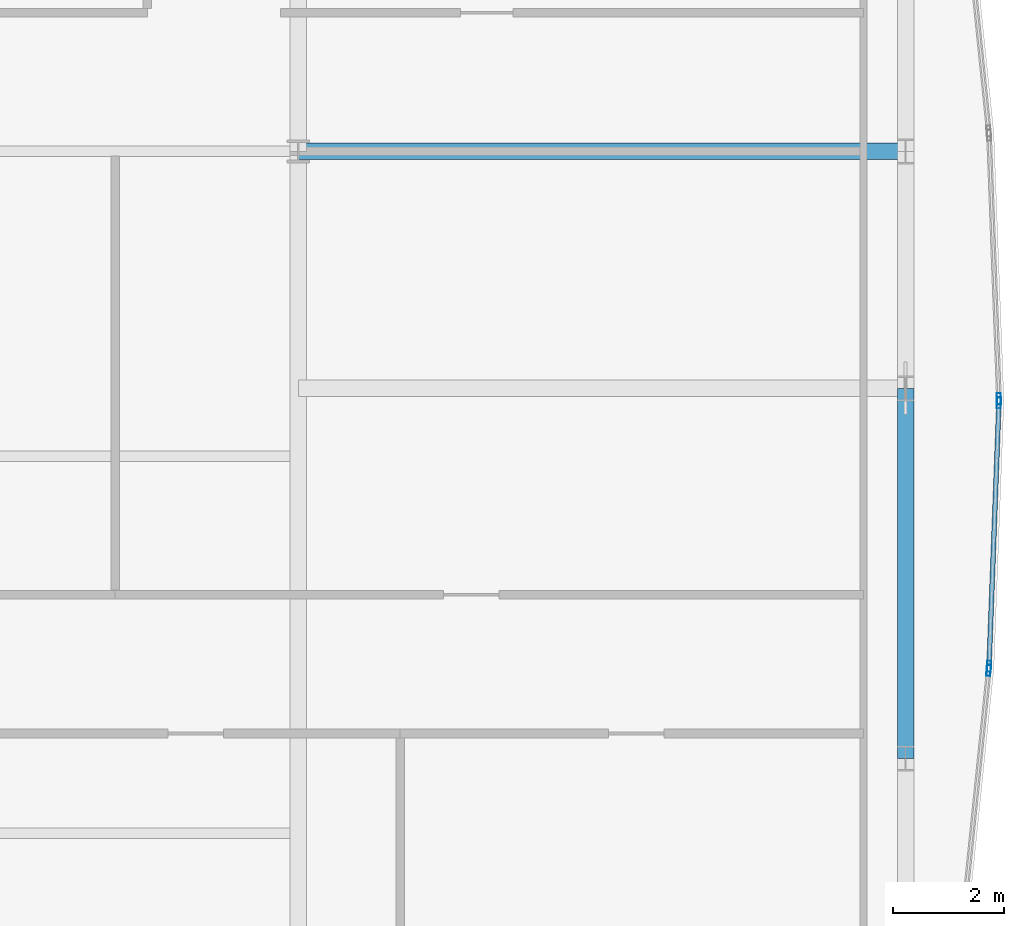
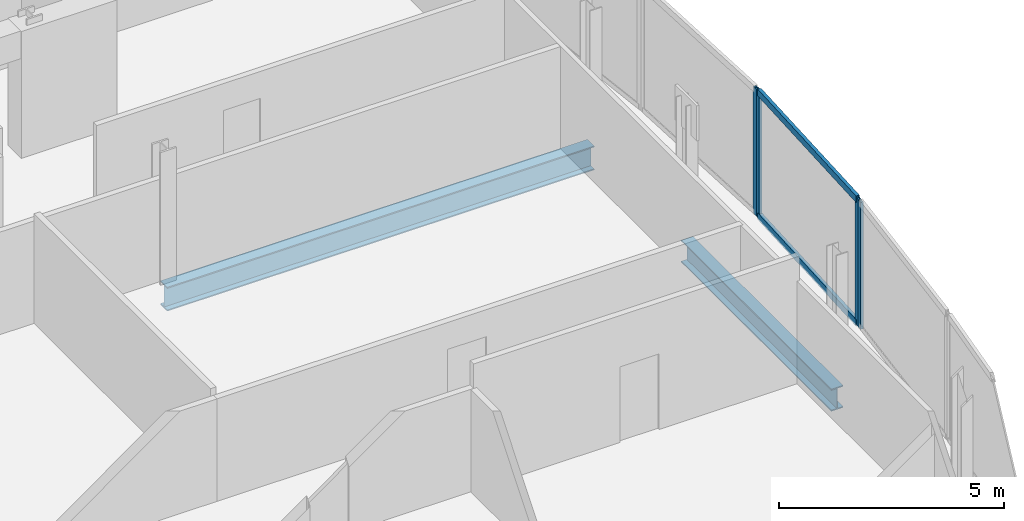
# One storey, part 20 of 32: 6 members, 2 beams, 3 elements without a shape of their own.
"""IFC4 building model written with IfcOpenShell, lengths in metres."""

from ifc_helpers import new_model, si_unit, direction, frame, origin, origin_2d, place, context, subcontext, project, spatial, hollow_rectangle, i_section, extrude, material, material_profile, profile_set, type_object, element, aggregate, save


model = new_model("IFC4")

# Units and contexts
model_context = context("Model", 3, precision=1e-05, world=origin(), true_north=direction((0.0, 1.0)))
body_context = subcontext(model_context, "Body", "Model", "MODEL_VIEW")
ifc_project = project(units=[si_unit("LENGTHUNIT", "METRE"), si_unit("AREAUNIT", "SQUARE_METRE"), si_unit("VOLUMEUNIT", "CUBIC_METRE"), si_unit("PLANEANGLEUNIT", "RADIAN"), si_unit("MASSUNIT", "GRAM", prefix="KILO")], contexts=[model_context])

# Site, building, storey
site_placement = place(None, origin())
site = spatial("IfcSite", under=ifc_project, at=site_placement, CompositionType="ELEMENT")
building_placement = place(site_placement, origin())
building = spatial("IfcBuilding", under=site, at=building_placement, Name="Khoronbel Lancet Exchange", CompositionType="ELEMENT")
storey_placement = place(building_placement, frame((0.0, 0.0, 228.199951171875)))
storey = spatial("IfcBuildingStorey", under=building, at=storey_placement, Name="L58", CompositionType="ELEMENT", Elevation=228.199951171875)

# Beams
ifc_material_1 = material(Name="Steel S355", Category="steel")
ifc_material_profile_1 = material_profile(ifc_material_1, i_section(OverallWidth=0.300048828125, OverallDepth=0.64990234375, WebThickness=0.01611328125, FlangeThickness=0.031005859375, at=origin_2d()), Name="HEB 650")
ifc_profile_set_1 = profile_set([ifc_material_profile_1], Name="Steel S355")
beam_type_1 = type_object("IfcBeamType", Name="BM-BG4", PredefinedType="BEAM", material=ifc_profile_set_1)
beam_1_placement = place(storey_placement, frame((54.675048828125, 35.699951171875, -0.48486328125), z_axis=(1.0, 0.0, 0.0), x_axis=(0.0, 1.0, 0.0)))
element("IfcBeam", 1, at=beam_1_placement, inside=storey, type_object=beam_type_1, Name="Level L58 east lens tie girder LG4E", PredefinedType="BEAM", context=body_context, shape_type="SweptSolid", body=[
    extrude(i_section(OverallWidth=0.300048828125, OverallDepth=0.64990234375, WebThickness=0.01611328125, FlangeThickness=0.031005859375, at=origin_2d()), origin(), (0.0, 0.0, 1.0), 10.954833984375),
])
ifc_material_profile_2 = material_profile(ifc_material_1, i_section(OverallWidth=0.300048828125, OverallDepth=0.60009765625, WebThickness=0.015380859375, FlangeThickness=0.030029296875, at=origin_2d()), Name="HEB 600")
ifc_profile_set_2 = profile_set([ifc_material_profile_2], Name="Steel S355")
beam_type_2 = type_object("IfcBeamType", Name="BM-BSP2", PredefinedType="SPANDREL", material=ifc_profile_set_2)
beam_2_placement = place(storey_placement, frame((65.6298828125, 24.75, -0.4599609375), z_axis=(0.0, 1.0, 0.0), x_axis=(-1.0, 0.0, 0.0)))
element("IfcBeam", 2, at=beam_2_placement, inside=storey, type_object=beam_type_2, Name="Level L58 perimeter spandrel beam SP12", PredefinedType="SPANDREL", context=body_context, shape_type="SweptSolid", body=[
    extrude(i_section(OverallWidth=0.300048828125, OverallDepth=0.60009765625, WebThickness=0.015380859375, FlangeThickness=0.030029296875, at=origin_2d()), origin(), (0.0, 0.0, 1.0), 6.675048828125),
])

# Curtain wall, member
ifc_material_2 = material(Name="Low-E Solar Control Insulating Glass", Category="glass")
curtain_wall_type = type_object("IfcCurtainWallType", Name="CW-4", PredefinedType="NOTDEFINED", material=ifc_material_2)
curtain_wall_1_placement = place(storey_placement, origin())
curtain_wall_1 = element("IfcCurtainWall", 3, at=curtain_wall_1_placement, inside=storey, type_object=curtain_wall_type, Name="Unitised curtain wall CW-L58-E19", PredefinedType="NOTDEFINED")
ifc_material_3 = material(Name="Bronze-Anodised Aluminium 6063-T6", Category="aluminium")
ifc_material_profile_3 = material_profile(ifc_material_3, hollow_rectangle(XDim=0.074951171875, YDim=0.199951171875, WallThickness=0.0048828125, at=origin_2d()), Name="ALU MULLION 75x200")
ifc_profile_set_3 = profile_set([ifc_material_profile_3], Name="Bronze-Anodised Aluminium 6063-T6")
member_type_1 = type_object("IfcMemberType", Name="MEM-CWM2", PredefinedType="MULLION", material=ifc_profile_set_3)
member_1_placement = place(storey_placement, frame((67.31396484375, 31.237548828125, 0.0), z_axis=(0.0, 0.0, 1.0), x_axis=(0.99929538512, 0.037533095775, 0.0)))
member_1 = element("IfcMember", 4, at=member_1_placement, type_object=member_type_1, Name="CW4 mullion 2", PredefinedType="MULLION", context=body_context, shape_type="SweptSolid", body=[
    extrude(hollow_rectangle(XDim=0.074951171875, YDim=0.199951171875, WallThickness=0.0048828125, at=origin_2d()), origin(), (0.0, 0.0, 1.0), 3.43994140625),
])
aggregate(curtain_wall_1, [member_1])

# Curtain wall, members
curtain_wall_2_placement = place(storey_placement, origin())
curtain_wall_2 = element("IfcCurtainWall", 5, at=curtain_wall_2_placement, inside=storey, type_object=curtain_wall_type, Name="Unitised curtain wall CW-L58-E20", PredefinedType="NOTDEFINED")
member_2_placement = place(storey_placement, frame((67.31396484375, 31.16259765625, 0.0), z_axis=(0.0, 0.0, 1.0), x_axis=(0.99929538512, -0.037533095775, 0.0)))
member_2 = element("IfcMember", 6, at=member_2_placement, type_object=member_type_1, Name="CW4 mullion 1", PredefinedType="MULLION", context=body_context, shape_type="SweptSolid", body=[
    extrude(hollow_rectangle(XDim=0.074951171875, YDim=0.199951171875, WallThickness=0.0048828125, at=origin_2d()), origin(), (0.0, 0.0, 1.0), 3.43994140625),
])
member_3_placement = place(storey_placement, frame((67.135498046875, 26.410400390625, 0.0), z_axis=(0.0, 0.0, 1.0), x_axis=(0.99929538512, -0.037533095775, 0.0)))
member_3 = element("IfcMember", 7, at=member_3_placement, type_object=member_type_1, Name="CW4 mullion 2", PredefinedType="MULLION", context=body_context, shape_type="SweptSolid", body=[
    extrude(hollow_rectangle(XDim=0.074951171875, YDim=0.199951171875, WallThickness=0.0048828125, at=origin_2d()), origin(), (0.0, 0.0, 1.0), 3.43994140625),
])

# Curtain wall, member
curtain_wall_3_placement = place(storey_placement, origin())
curtain_wall_3 = element("IfcCurtainWall", 8, at=curtain_wall_3_placement, inside=storey, type_object=curtain_wall_type, Name="Unitised curtain wall CW-L58-E21", PredefinedType="NOTDEFINED")
member_4_placement = place(storey_placement, frame((67.130126953125, 26.335693359375, 0.0), z_axis=(0.0, 0.0, 1.0), x_axis=(0.994772481584, -0.102116158773, 0.0)))
member_4 = element("IfcMember", 9, at=member_4_placement, type_object=member_type_1, Name="CW4 mullion 1", PredefinedType="MULLION", context=body_context, shape_type="SweptSolid", body=[
    extrude(hollow_rectangle(XDim=0.074951171875, YDim=0.199951171875, WallThickness=0.0048828125, at=origin_2d()), origin(), (0.0, 0.0, 1.0), 3.43994140625),
])
aggregate(curtain_wall_3, [member_4])

# Member
ifc_material_profile_4 = material_profile(ifc_material_3, hollow_rectangle(XDim=0.0849609375, YDim=0.179931640625, WallThickness=0.0048828125, at=origin_2d()), Name="ALU TRANSOM 85x180")
ifc_profile_set_4 = profile_set([ifc_material_profile_4], Name="Bronze-Anodised Aluminium 6063-T6")
member_type_2 = type_object("IfcMemberType", Name="MEM-CWT1", PredefinedType="USERDEFINED", material=ifc_profile_set_4)
member_5_placement = place(storey_placement, frame((67.3125, 31.125, 0.04248046875), z_axis=(-0.037557655838, -0.999294462352, 0.0), x_axis=(0.999294462352, -0.037557655838, 0.0)))
member_5 = element("IfcMember", 10, at=member_5_placement, type_object=member_type_2, Name="CW4 transom 1.1", ObjectType="TRANSOM", PredefinedType="USERDEFINED", context=body_context, shape_type="SweptSolid", body=[
    extrude(hollow_rectangle(XDim=0.0849609375, YDim=0.179931640625, WallThickness=0.0048828125, at=origin_2d()), origin(), (0.0, 0.0, 1.0), 4.680419921875),
])

member_6_placement = place(storey_placement, frame((67.3125, 31.125, 3.3974609375), z_axis=(-0.037557655838, -0.999294462352, 0.0), x_axis=(0.999294462352, -0.037557655838, 0.0)))
member_6 = element("IfcMember", 11, at=member_6_placement, type_object=member_type_2, Name="CW4 transom 1.2", ObjectType="TRANSOM", PredefinedType="USERDEFINED", context=body_context, shape_type="SweptSolid", body=[
    extrude(hollow_rectangle(XDim=0.0849609375, YDim=0.179931640625, WallThickness=0.0048828125, at=origin_2d()), origin(), (0.0, 0.0, 1.0), 4.680419921875),
])

aggregate(curtain_wall_2, [member_2, member_3, member_5, member_6])

save(model, "model.ifc")
